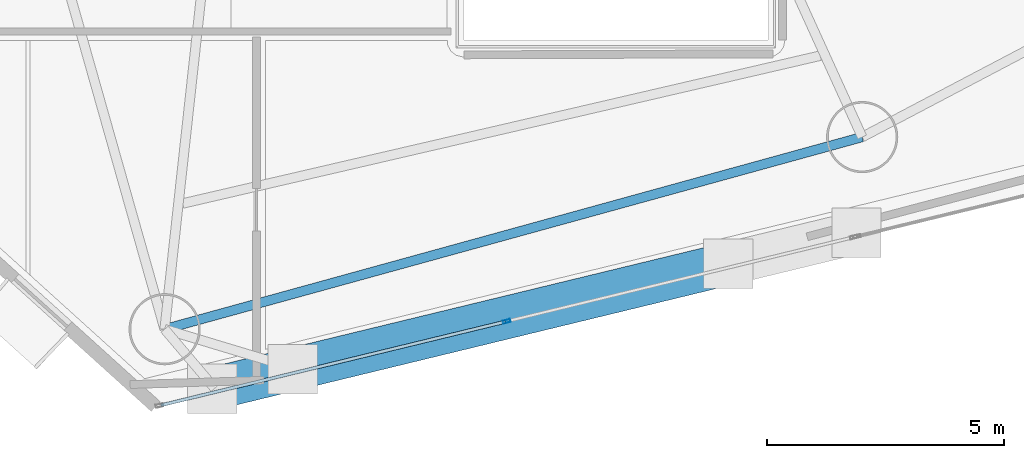
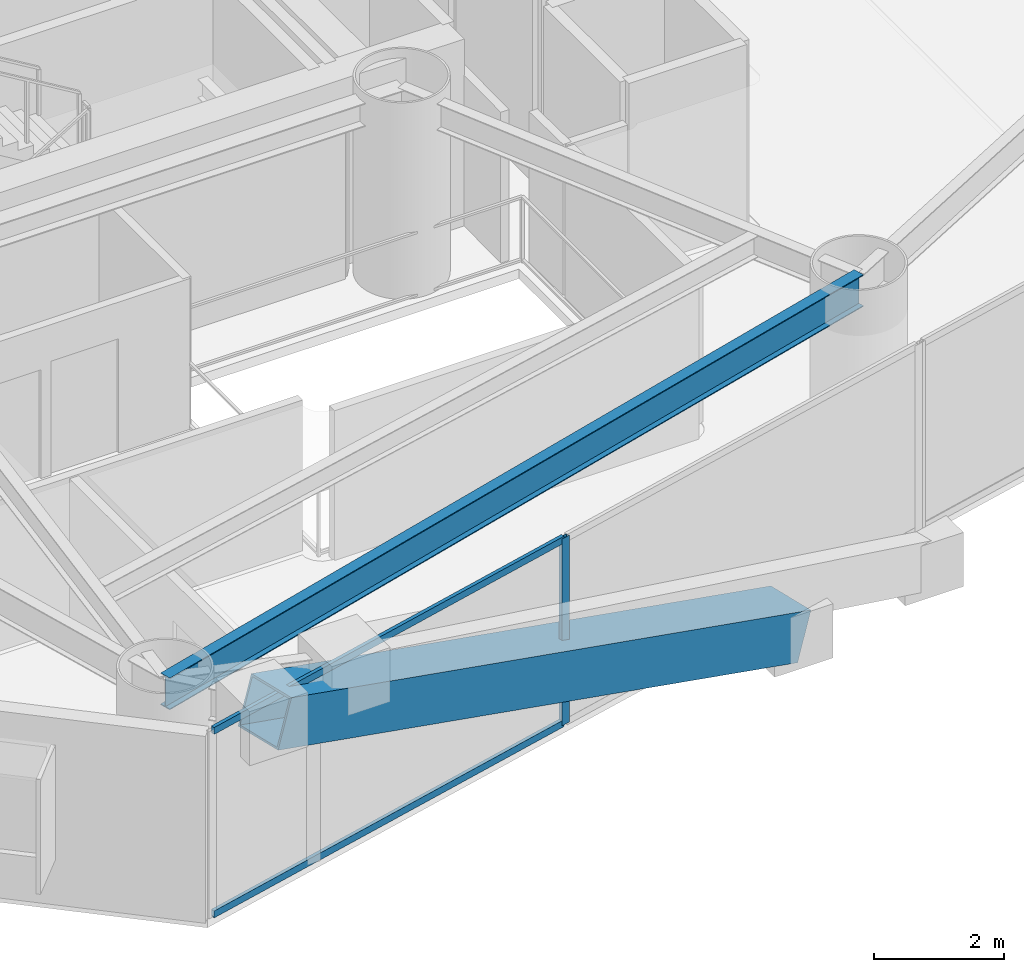
# One storey, part 3 of 24: 4 members, 1 beam, 1 element without a shape of its own.
"""IFC4 building model written with IfcOpenShell, lengths in metres."""

from ifc_helpers import new_model, si_unit, direction, frame, origin, origin_2d, place, context, subcontext, project, spatial, hollow_rectangle, i_section, extrude, material, layer, layer_set, material_profile, profile_set, type_object, element, aggregate, save


model = new_model("IFC4")

# Units and contexts
model_context = context("Model", 3, precision=1e-05, world=origin(), true_north=direction((0.0, 1.0)))
body_context = subcontext(model_context, "Body", "Model", "MODEL_VIEW")
ifc_project = project(units=[si_unit("LENGTHUNIT", "METRE"), si_unit("AREAUNIT", "SQUARE_METRE"), si_unit("VOLUMEUNIT", "CUBIC_METRE"), si_unit("PLANEANGLEUNIT", "RADIAN"), si_unit("MASSUNIT", "GRAM", prefix="KILO")], contexts=[model_context])

# Site, building, storey
site_placement = place(None, origin())
site = spatial("IfcSite", under=ifc_project, at=site_placement, CompositionType="ELEMENT")
building_placement = place(site_placement, origin())
building = spatial("IfcBuilding", under=site, at=building_placement, Name="Qianvela Tower", CompositionType="ELEMENT")
storey_placement = place(building_placement, frame((0.0, 0.0, 101.5)))
storey = spatial("IfcBuildingStorey", under=building, at=storey_placement, Name="L25", CompositionType="ELEMENT", Elevation=101.5)

# Beam
ifc_material_1 = material(Name="Steel Q355B", Category="steel")
ifc_material_profile_1 = material_profile(ifc_material_1, i_section(OverallWidth=0.199951171875, OverallDepth=0.60009765625, WebThickness=0.010986328125, FlangeThickness=0.01708984375, at=origin_2d()), Name="HN600x200x11x17")
ifc_profile_set_1 = profile_set([ifc_material_profile_1], Name="Steel Q355B")
beam_type = type_object("IfcBeamType", Name="BM-HN600-GIRD", PredefinedType="BEAM", material=ifc_profile_set_1)
beam_placement = place(storey_placement, frame((27.2919921875, 11.908935546875, 3.218017578125), z_axis=(0.964093212083, 0.265564075912, 0.0), x_axis=(-0.265564075912, 0.964093212083, 0.0)))
element("IfcBeam", 1, at=beam_placement, inside=storey, type_object=beam_type, Name="L25 Perimeter Ring Spandrel Girder 5", PredefinedType="BEAM", context=body_context, shape_type="SweptSolid", body=[
    extrude(i_section(OverallWidth=0.199951171875, OverallDepth=0.60009765625, WebThickness=0.010986328125, FlangeThickness=0.01708984375, at=origin_2d()), origin(), (0.0, 0.0, 1.0), 15.243408203125),
])

# Curtain wall, members
ifc_material_2 = material(Name="Anodised Architectural Aluminium and Insulated Spandrel Panel", Category="aluminium")
ifc_layer = layer(ifc_material_2, 0.179931640625)
ifc_layer_set = layer_set([ifc_layer], Name="Anodised Architectural Aluminium and Insulated Spandrel Panel")
curtain_wall_type = type_object("IfcCurtainWallType", Name="CW-BRACEBAY", PredefinedType="USERDEFINED", material=ifc_layer_set)
curtain_wall_placement = place(storey_placement, origin())
curtain_wall = element("IfcCurtainWall", 2, at=curtain_wall_placement, inside=storey, type_object=curtain_wall_type, Name="L25 CW-BRACEBAY Curtain Wall 06A", ObjectType="CURTAIN_WALL_SYSTEM", PredefinedType="USERDEFINED")
ifc_material_3 = material(Name="Anodised Architectural Aluminium 6063-T6", Category="aluminium")
ifc_material_profile_2 = material_profile(ifc_material_3, hollow_rectangle(XDim=0.06494140625, YDim=0.159912109375, WallThickness=0.0048828125, at=origin_2d()), Name="ALU-MULL-65x160")
ifc_profile_set_2 = profile_set([ifc_material_profile_2], Name="Anodised Architectural Aluminium 6063-T6")
member_type_1 = type_object("IfcMemberType", Name="CW-BRACEBAY-MULL", PredefinedType="MULLION", material=ifc_profile_set_2)
member_1_placement = place(storey_placement, frame((34.497802734375, 12.073486328125, 0.0), z_axis=(0.0, 0.0, 1.0), x_axis=(-0.235701106427, 0.971825595685, 0.0)))
member_1 = element("IfcMember", 3, at=member_1_placement, type_object=member_type_1, Name="CW-9 mullion 2", PredefinedType="MULLION", context=body_context, shape_type="SweptSolid", body=[
    extrude(hollow_rectangle(XDim=0.06494140625, YDim=0.159912109375, WallThickness=0.0048828125, at=origin_2d()), origin(), (0.0, 0.0, 1.0), 3.52001953125),
])
ifc_material_4 = material(Name="Anodised Architectural Aluminium 6063-T6", Category="aluminium")
ifc_material_profile_3 = material_profile(ifc_material_4, hollow_rectangle(XDim=0.06494140625, YDim=0.1298828125, WallThickness=0.00439453125, at=origin_2d()), Name="ALU-TRAN-65x130")
ifc_profile_set_3 = profile_set([ifc_material_profile_3], Name="Anodised Architectural Aluminium 6063-T6")
member_type_2 = type_object("IfcMemberType", Name="CW-BRACEBAY-TRAN", PredefinedType="USERDEFINED", material=ifc_profile_set_3)
member_2_placement = place(storey_placement, frame((27.2138671875, 10.306884765625, 0.032470703125), z_axis=(0.971821724172, 0.235717068596, 0.0), x_axis=(-0.235717068596, 0.971821724172, 0.0)))
member_2 = element("IfcMember", 4, at=member_2_placement, type_object=member_type_2, Name="CW-9 transom 1.1", ObjectType="TRANSOM", PredefinedType="USERDEFINED", context=body_context, shape_type="SweptSolid", body=[
    extrude(hollow_rectangle(XDim=0.06494140625, YDim=0.1298828125, WallThickness=0.00439453125, at=origin_2d()), origin(), (0.0, 0.0, 1.0), 7.46240234375),
])
member_3_placement = place(storey_placement, frame((27.2138671875, 10.306884765625, 3.487548828125), z_axis=(0.971821724172, 0.235717068596, 0.0), x_axis=(-0.235717068596, 0.971821724172, 0.0)))
member_3 = element("IfcMember", 5, at=member_3_placement, type_object=member_type_2, Name="CW-9 transom 1.2", ObjectType="TRANSOM", PredefinedType="USERDEFINED", context=body_context, shape_type="SweptSolid", body=[
    extrude(hollow_rectangle(XDim=0.06494140625, YDim=0.1298828125, WallThickness=0.00439453125, at=origin_2d()), origin(), (0.0, 0.0, 1.0), 7.46240234375),
])
aggregate(curtain_wall, [member_1, member_2, member_3])

# Member
ifc_material_5 = material(Name="Steel Q420GJC", Category="steel")
ifc_material_profile_4 = material_profile(ifc_material_5, hollow_rectangle(XDim=0.89990234375, YDim=0.89990234375, WallThickness=0.035888671875, at=origin_2d()), Name="MBOX-900x900x36")
ifc_profile_set_4 = profile_set([ifc_material_profile_4], Name="Steel Q420GJC")
member_type_3 = type_object("IfcMemberType", Name="MBR-MBRACE-900", PredefinedType="BRACE", material=ifc_profile_set_4)
member_4_placement = place(storey_placement, frame((39.1103515625, 13.2744140625, -0.48193359375), z_axis=(-0.921757384205, -0.223539964433, 0.316848874016), x_axis=(0.2356833024, -0.971829913601, 0.0)))
element("IfcMember", 6, at=member_4_placement, inside=storey, type_object=member_type_3, Name="L25 Tier 4 Exterior Mega-Brace F3A", PredefinedType="BRACE", context=body_context, shape_type="SweptSolid", body=[
    extrude(hollow_rectangle(XDim=0.89990234375, YDim=0.89990234375, WallThickness=0.035888671875, at=origin_2d()), origin(), (0.0, 0.0, 1.0), 11.67724609375),
])

save(model, "model.ifc")
